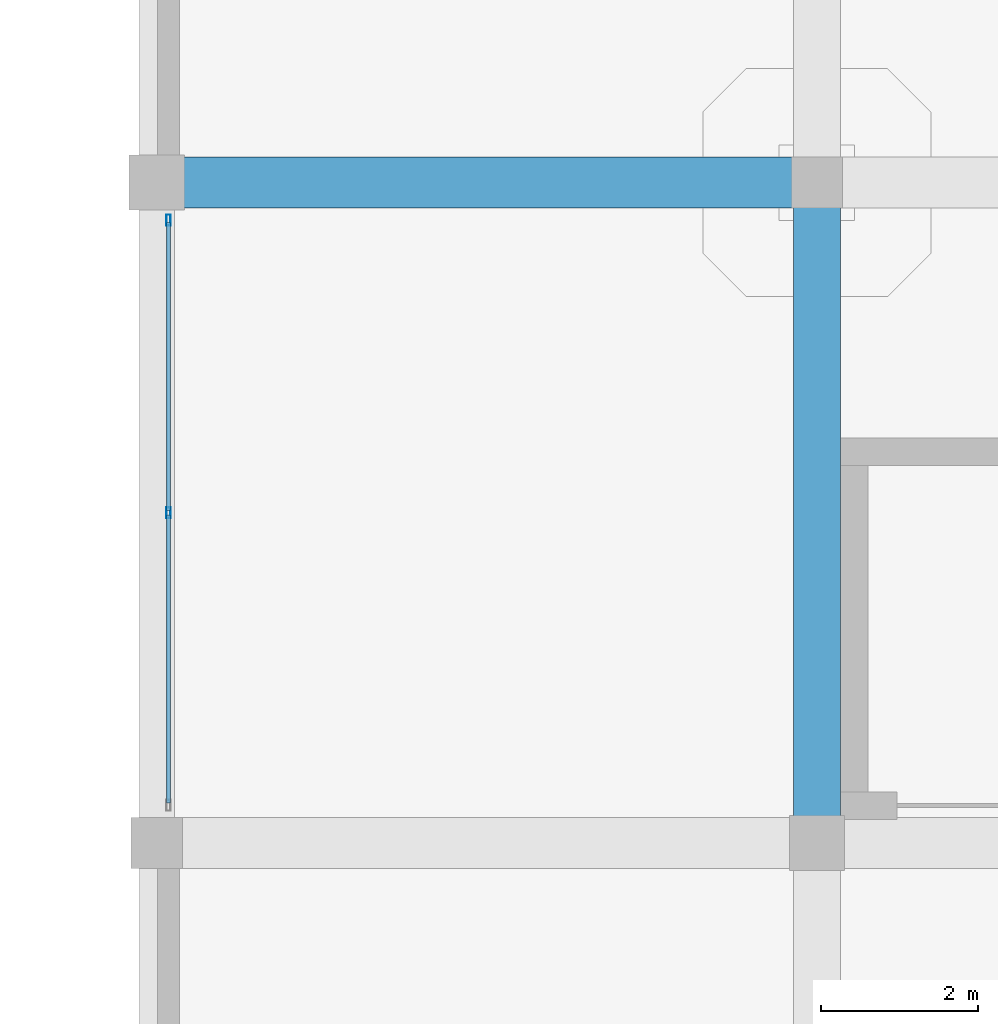
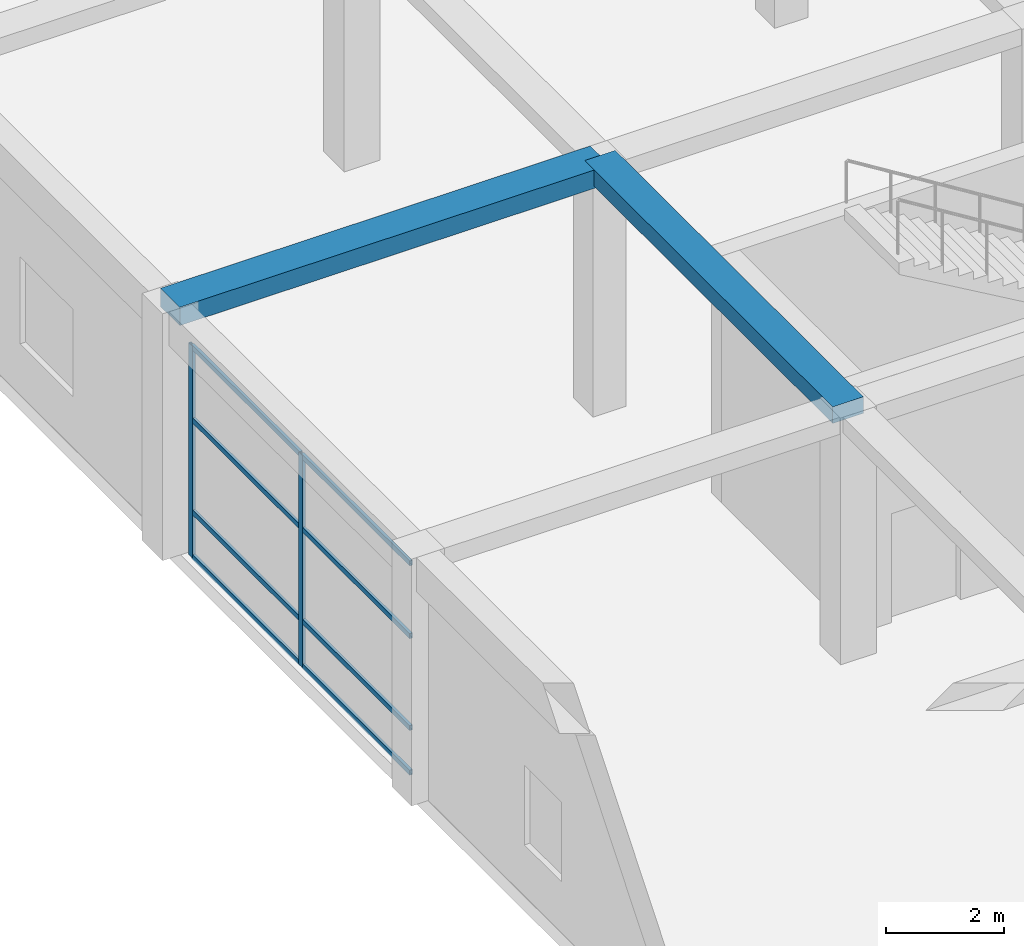
# One storey, part 29 of 96: 10 members, 2 beams, 1 element without a shape of its own.
"""IFC4 building model written with IfcOpenShell, lengths in metres."""

from ifc_helpers import new_model, si_unit, direction, frame, origin, origin_2d, place, context, subcontext, project, spatial, rectangle, hollow_rectangle, extrude, material, material_profile, profile_set, type_object, element, aggregate, save


model = new_model("IFC4")

# Units and contexts
model_context = context("Model", 3, precision=1e-05, world=origin(), true_north=direction((0.0, 1.0)))
body_context = subcontext(model_context, "Body", "Model", "MODEL_VIEW")
ifc_project = project(units=[si_unit("LENGTHUNIT", "METRE"), si_unit("AREAUNIT", "SQUARE_METRE"), si_unit("VOLUMEUNIT", "CUBIC_METRE"), si_unit("PLANEANGLEUNIT", "RADIAN"), si_unit("MASSUNIT", "GRAM", prefix="KILO")], contexts=[model_context])

# Site, building, storey
site_placement = place(None, origin())
site = spatial("IfcSite", under=ifc_project, at=site_placement, CompositionType="ELEMENT")
building_placement = place(site_placement, origin())
building = spatial("IfcBuilding", under=site, at=building_placement, Name="Almacenes y Pasaje Nevantli", CompositionType="ELEMENT")
storey_placement = place(building_placement, frame((0.0, 0.0, 6.0)))
storey = spatial("IfcBuildingStorey", under=building, at=storey_placement, Name="L02", CompositionType="ELEMENT", Elevation=6.0)

# Beams
ifc_material_1 = material(Name="Concrete C35/45", Category="concrete")
ifc_material_profile_1 = material_profile(ifc_material_1, rectangle(XDim=0.60009765625, YDim=0.340087890625, at=origin_2d()), Name="RC-BM-600x340")
ifc_profile_set_1 = profile_set([ifc_material_profile_1], Name="Concrete C35/45")
beam_type_1 = type_object("IfcBeamType", Name="BM-RC-600x340", PredefinedType="BEAM", material=ifc_profile_set_1)
beam_1_placement = place(storey_placement, frame((8.39990234375, 58.800048828125, 4.929931640625), z_axis=(0.0, 1.0, 0.0), x_axis=(-1.0, 0.0, 0.0)))
element("IfcBeam", 1, at=beam_1_placement, inside=storey, type_object=beam_type_1, Name="L02 North-South Reinforced Concrete Beam #1981", PredefinedType="BEAM", context=body_context, shape_type="SweptSolid", body=[
    extrude(rectangle(XDim=0.60009765625, YDim=0.340087890625, at=origin_2d()), origin(), (0.0, 0.0, 1.0), 8.39990234375),
])
ifc_material_2 = material(Name="Concrete C35/45", Category="concrete")
ifc_material_profile_2 = material_profile(ifc_material_2, rectangle(XDim=0.64990234375, YDim=0.3798828125, at=origin_2d()), Name="RC-BM-650x380")
ifc_profile_set_2 = profile_set([ifc_material_profile_2], Name="Concrete C35/45")
beam_type_2 = type_object("IfcBeamType", Name="BM-RC-650x380", PredefinedType="BEAM", material=ifc_profile_set_2)
beam_2_placement = place(storey_placement, frame((0.0, 67.199951171875, 4.909912109375), z_axis=(1.0, 0.0, 0.0), x_axis=(0.0, 1.0, 0.0)))
element("IfcBeam", 2, at=beam_2_placement, inside=storey, type_object=beam_type_2, Name="L02 East-West Reinforced Concrete Beam #1847", PredefinedType="BEAM", context=body_context, shape_type="SweptSolid", body=[
    extrude(rectangle(XDim=0.64990234375, YDim=0.3798828125, at=origin_2d()), origin(), (0.0, 0.0, 1.0), 8.39990234375),
])

# Curtain wall, members
ifc_material_3 = material(Name="Thermally Broken Aluminium and Low-E Glass", Category="aluminium")
curtain_wall_type = type_object("IfcCurtainWallType", Name="CW-UNIT-PODIUM", PredefinedType="USERDEFINED", material=ifc_material_3)
curtain_wall_placement = place(storey_placement, origin())
curtain_wall = element("IfcCurtainWall", 3, at=curtain_wall_placement, inside=storey, type_object=curtain_wall_type, Name="L02 West Avenue Unitized Curtain Wall Bay 8", ObjectType="UNITIZED CURTAIN WALL", PredefinedType="USERDEFINED")
ifc_material_4 = material(Name="Thermally Broken Anodized Aluminium", Category="aluminium")
ifc_material_profile_3 = material_profile(ifc_material_4, hollow_rectangle(XDim=0.054931640625, YDim=0.139892578125, WallThickness=0.00341796875, at=origin_2d()), Name="ALU-MUL-55x140")
ifc_profile_set_3 = profile_set([ifc_material_profile_3], Name="Thermally Broken Anodized Aluminium")
member_type_1 = type_object("IfcMemberType", Name="CW-MUL-160", PredefinedType="MULLION", material=ifc_profile_set_3)
member_1_placement = place(storey_placement, frame((0.14990234375, 63.0, 0.0), z_axis=(0.0, 0.0, 1.0), x_axis=(-1.0, 0.0, 0.0)))
member_1 = element("IfcMember", 4, at=member_1_placement, type_object=member_type_1, Name="CW-L02-017 mullion 2", PredefinedType="MULLION", context=body_context, shape_type="SweptSolid", body=[
    extrude(hollow_rectangle(XDim=0.054931640625, YDim=0.139892578125, WallThickness=0.00341796875, at=origin_2d()), origin(), (0.0, 0.0, 1.0), 4.3798828125),
])
member_2_placement = place(storey_placement, frame((0.14990234375, 66.722412109375, 0.0), z_axis=(0.0, 0.0, 1.0), x_axis=(-1.0, 0.0, 0.0)))
member_2 = element("IfcMember", 5, at=member_2_placement, type_object=member_type_1, Name="CW-L02-017 mullion 3", PredefinedType="MULLION", context=body_context, shape_type="SweptSolid", body=[
    extrude(hollow_rectangle(XDim=0.054931640625, YDim=0.139892578125, WallThickness=0.00341796875, at=origin_2d()), origin(), (0.0, 0.0, 1.0), 4.3798828125),
])
ifc_material_5 = material(Name="Thermally Broken Anodized Aluminium", Category="aluminium")
ifc_material_profile_4 = material_profile(ifc_material_5, hollow_rectangle(XDim=0.054931640625, YDim=0.10498046875, WallThickness=0.003173828125, at=origin_2d()), Name="ALU-TRN-55x105")
ifc_profile_set_4 = profile_set([ifc_material_profile_4], Name="Thermally Broken Anodized Aluminium")
member_type_2 = type_object("IfcMemberType", Name="CW-TRN-120", PredefinedType="USERDEFINED", material=ifc_profile_set_4)
member_3_placement = place(storey_placement, frame((0.14990234375, 59.304931640625, 0.027587890625), z_axis=(0.0, 1.0, 0.0), x_axis=(-1.0, 0.0, 0.0)))
member_3 = element("IfcMember", 6, at=member_3_placement, type_object=member_type_2, Name="CW-L02-017 transom 1.1", ObjectType="TRANSOM", PredefinedType="USERDEFINED", context=body_context, shape_type="SweptSolid", body=[
    extrude(hollow_rectangle(XDim=0.054931640625, YDim=0.10498046875, WallThickness=0.003173828125, at=origin_2d()), origin(), (0.0, 0.0, 1.0), 3.66748046875),
])
member_4_placement = place(storey_placement, frame((0.14990234375, 59.304931640625, 0.949951171875), z_axis=(0.0, 1.0, 0.0), x_axis=(-1.0, 0.0, 0.0)))
member_4 = element("IfcMember", 7, at=member_4_placement, type_object=member_type_2, Name="CW-L02-017 transom 1.2", ObjectType="TRANSOM", PredefinedType="USERDEFINED", context=body_context, shape_type="SweptSolid", body=[
    extrude(hollow_rectangle(XDim=0.054931640625, YDim=0.10498046875, WallThickness=0.003173828125, at=origin_2d()), origin(), (0.0, 0.0, 1.0), 3.66748046875),
])
member_5_placement = place(storey_placement, frame((0.14990234375, 59.304931640625, 2.85009765625), z_axis=(0.0, 1.0, 0.0), x_axis=(-1.0, 0.0, 0.0)))
member_5 = element("IfcMember", 8, at=member_5_placement, type_object=member_type_2, Name="CW-L02-017 transom 1.3", ObjectType="TRANSOM", PredefinedType="USERDEFINED", context=body_context, shape_type="SweptSolid", body=[
    extrude(hollow_rectangle(XDim=0.054931640625, YDim=0.10498046875, WallThickness=0.003173828125, at=origin_2d()), origin(), (0.0, 0.0, 1.0), 3.66748046875),
])
member_6_placement = place(storey_placement, frame((0.14990234375, 59.304931640625, 4.3525390625), z_axis=(0.0, 1.0, 0.0), x_axis=(-1.0, 0.0, 0.0)))
member_6 = element("IfcMember", 9, at=member_6_placement, type_object=member_type_2, Name="CW-L02-017 transom 1.4", ObjectType="TRANSOM", PredefinedType="USERDEFINED", context=body_context, shape_type="SweptSolid", body=[
    extrude(hollow_rectangle(XDim=0.054931640625, YDim=0.10498046875, WallThickness=0.003173828125, at=origin_2d()), origin(), (0.0, 0.0, 1.0), 3.66748046875),
])
member_7_placement = place(storey_placement, frame((0.14990234375, 63.027587890625, 0.027587890625), z_axis=(0.0, 1.0, 0.0), x_axis=(-1.0, 0.0, 0.0)))
member_7 = element("IfcMember", 10, at=member_7_placement, type_object=member_type_2, Name="CW-L02-017 transom 2.1", ObjectType="TRANSOM", PredefinedType="USERDEFINED", context=body_context, shape_type="SweptSolid", body=[
    extrude(hollow_rectangle(XDim=0.054931640625, YDim=0.10498046875, WallThickness=0.003173828125, at=origin_2d()), origin(), (0.0, 0.0, 1.0), 3.66748046875),
])
member_8_placement = place(storey_placement, frame((0.14990234375, 63.027587890625, 0.949951171875), z_axis=(0.0, 1.0, 0.0), x_axis=(-1.0, 0.0, 0.0)))
member_8 = element("IfcMember", 11, at=member_8_placement, type_object=member_type_2, Name="CW-L02-017 transom 2.2", ObjectType="TRANSOM", PredefinedType="USERDEFINED", context=body_context, shape_type="SweptSolid", body=[
    extrude(hollow_rectangle(XDim=0.054931640625, YDim=0.10498046875, WallThickness=0.003173828125, at=origin_2d()), origin(), (0.0, 0.0, 1.0), 3.66748046875),
])
member_9_placement = place(storey_placement, frame((0.14990234375, 63.027587890625, 2.85009765625), z_axis=(0.0, 1.0, 0.0), x_axis=(-1.0, 0.0, 0.0)))
member_9 = element("IfcMember", 12, at=member_9_placement, type_object=member_type_2, Name="CW-L02-017 transom 2.3", ObjectType="TRANSOM", PredefinedType="USERDEFINED", context=body_context, shape_type="SweptSolid", body=[
    extrude(hollow_rectangle(XDim=0.054931640625, YDim=0.10498046875, WallThickness=0.003173828125, at=origin_2d()), origin(), (0.0, 0.0, 1.0), 3.66748046875),
])
member_10_placement = place(storey_placement, frame((0.14990234375, 63.027587890625, 4.3525390625), z_axis=(0.0, 1.0, 0.0), x_axis=(-1.0, 0.0, 0.0)))
member_10 = element("IfcMember", 13, at=member_10_placement, type_object=member_type_2, Name="CW-L02-017 transom 2.4", ObjectType="TRANSOM", PredefinedType="USERDEFINED", context=body_context, shape_type="SweptSolid", body=[
    extrude(hollow_rectangle(XDim=0.054931640625, YDim=0.10498046875, WallThickness=0.003173828125, at=origin_2d()), origin(), (0.0, 0.0, 1.0), 3.66748046875),
])
aggregate(curtain_wall, [member_1, member_2, member_3, member_4, member_5, member_6, member_7, member_8, member_9, member_10])

save(model, "model.ifc")
